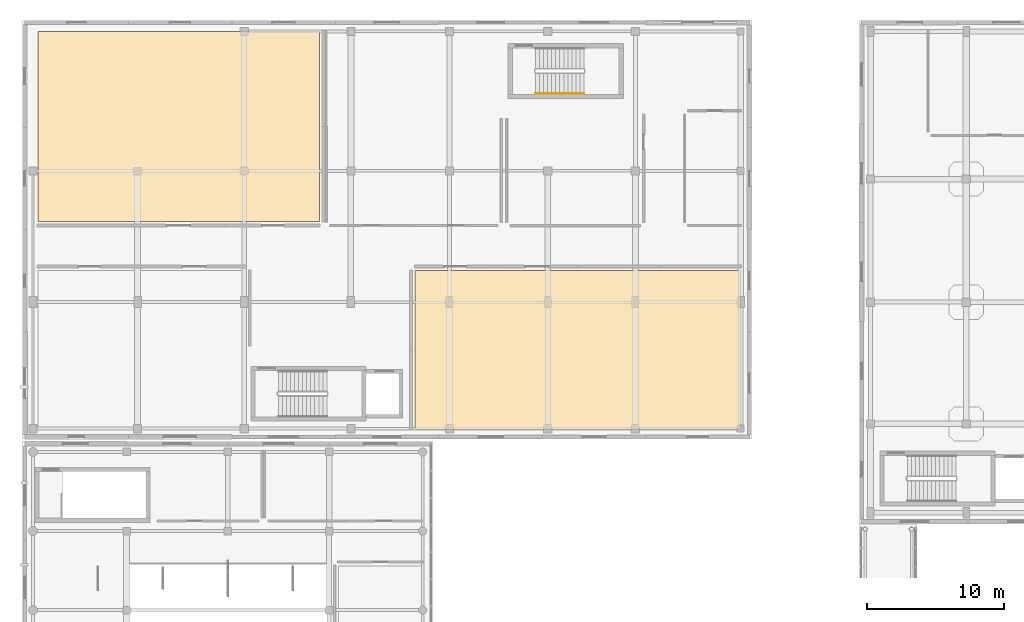
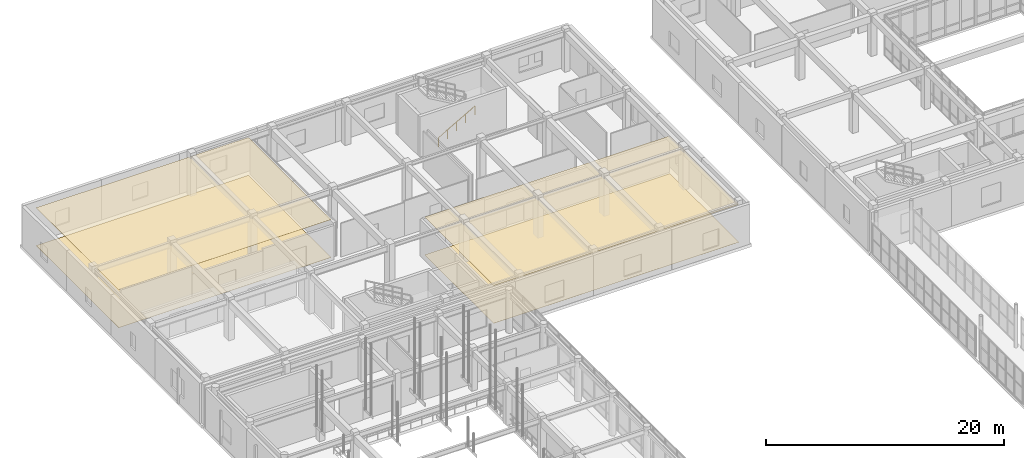
# One storey, part 139 of 142: 4 coverings, 1 railing.
"""IFC4 building model written with IfcOpenShell, lengths in metres."""

from ifc_helpers import new_model, si_unit, direction, frame, origin, origin_2d, place, context, subcontext, project, spatial, polyline, circle, outline, extrude, material, layer, layer_set, type_object, element, save


model = new_model("IFC4")

# Units and contexts
model_context = context("Model", 3, precision=1e-05, world=origin(), true_north=direction((0.0, 1.0)))
body_context = subcontext(model_context, "Body", "Model", "MODEL_VIEW")
ifc_project = project(units=[si_unit("LENGTHUNIT", "METRE"), si_unit("AREAUNIT", "SQUARE_METRE"), si_unit("VOLUMEUNIT", "CUBIC_METRE"), si_unit("PLANEANGLEUNIT", "RADIAN"), si_unit("MASSUNIT", "GRAM", prefix="KILO")], contexts=[model_context])

# Site, building, storey
site_placement = place(None, origin())
site = spatial("IfcSite", under=ifc_project, at=site_placement, CompositionType="ELEMENT")
building_placement = place(site_placement, origin())
building = spatial("IfcBuilding", under=site, at=building_placement, Name="Valcora Specialist Clinic", CompositionType="ELEMENT")
storey_placement = place(building_placement, frame((0.0, 0.0, 5.10009765625)))
storey = spatial("IfcBuildingStorey", under=building, at=storey_placement, Name="L01", CompositionType="ELEMENT", Elevation=5.10009765625)

# Coverings
ifc_material_1 = material(Name="Acoustic Mineral Ceiling Tile")
ifc_layer_1 = layer(ifc_material_1, 0.02001953125)
ifc_layer_set_1 = layer_set([ifc_layer_1], Name="Acoustic Mineral Ceiling Tile")
covering_type_1 = type_object("IfcCoveringType", Name="TY-CV-CLG020", PredefinedType="CEILING", material=ifc_layer_set_1)
covering_1_placement = place(storey_placement, frame((0.0, 0.0, 3.875)))
element("IfcCovering", 1, at=covering_1_placement, inside=storey, type_object=covering_type_1, Name="Acoustic ceiling tile 9", PredefinedType="CEILING", context=body_context, shape_type="SweptSolid", body=[
    extrude(outline(polyline([(52.5, 92.5), (52.5, 80.89990234375), (28.699951171875, 80.89990234375), (28.699951171875, 92.5), (52.5, 92.5)])), origin(), (0.0, 0.0, 1.0), 0.02001953125),
])
covering_2_placement = place(storey_placement, frame((0.0, 0.0, 3.875)))
element("IfcCovering", 2, at=covering_2_placement, inside=storey, type_object=covering_type_1, Name="Acoustic ceiling tile 10", PredefinedType="CEILING", context=body_context, shape_type="SweptSolid", body=[
    extrude(outline(polyline([(21.699951171875, 110.0), (21.699951171875, 96.10009765625), (1.10009765625, 96.10009765625), (1.10009765625, 110.0), (21.699951171875, 110.0)])), origin(), (0.0, 0.0, 1.0), 0.02001953125),
])
ifc_material_2 = material(Name="Antimicrobial Vinyl Clinical Flooring")
ifc_layer_2 = layer(ifc_material_2, 0.008056640625)
ifc_layer_set_2 = layer_set([ifc_layer_2], Name="Antimicrobial Vinyl Clinical Flooring")
covering_type_2 = type_object("IfcCoveringType", Name="TY-CV-FLR008", PredefinedType="FLOORING", material=ifc_layer_set_2)
covering_3_placement = place(storey_placement, origin())
element("IfcCovering", 3, at=covering_3_placement, inside=storey, type_object=covering_type_2, Name="Antimicrobial clinical flooring 9", PredefinedType="FLOORING", context=body_context, shape_type="SweptSolid", body=[
    extrude(outline(polyline([(52.5, 92.5), (52.5, 80.89990234375), (28.699951171875, 80.89990234375), (28.699951171875, 92.5), (52.5, 92.5)])), origin(), (0.0, 0.0, 1.0), 0.0078125),
])
covering_4_placement = place(storey_placement, origin())
element("IfcCovering", 4, at=covering_4_placement, inside=storey, type_object=covering_type_2, Name="Antimicrobial clinical flooring 10", PredefinedType="FLOORING", context=body_context, shape_type="SweptSolid", body=[
    extrude(outline(polyline([(21.699951171875, 110.0), (21.699951171875, 96.10009765625), (1.10009765625, 96.10009765625), (1.10009765625, 110.0), (21.699951171875, 110.0)])), origin(), (0.0, 0.0, 1.0), 0.0078125),
])

# Railing
ifc_material_3 = material(Name="Stainless Steel AISI 316", Category="steel")
railing_type = type_object("IfcRailingType", Name="TY-RL-HND092", PredefinedType="HANDRAIL", material=ifc_material_3)
railing_placement = place(storey_placement, frame((37.5, 105.449951171875, 0.169921875)))
element("IfcRailing", 5, at=railing_placement, inside=storey, type_object=railing_type, Name="L01 ST-V2B stair handrail 1", PredefinedType="HANDRAIL", context=body_context, shape_type="SweptSolid", body=[
    extrude(circle(Radius=0.02392578125, at=origin_2d()), frame((0.0, 0.0, 0.89599609375), z_axis=(0.866428212428, 0.0, 0.499301665038), x_axis=(0.0, 1.0, 0.0)), (0.0, 0.0, 1.0), 4.085693359375),
    extrude(circle(Radius=0.02099609375, at=origin_2d()), origin(), (0.0, 0.0, 1.0), 0.871826171875),
    extrude(circle(Radius=0.02099609375, at=origin_2d()), frame((0.885009765625, 0.0, 0.510009765625)), (0.0, 0.0, 1.0), 0.871826171875),
    extrude(circle(Radius=0.02099609375, at=origin_2d()), frame((1.77001953125, 0.0, 1.02001953125)), (0.0, 0.0, 1.0), 0.871826171875),
    extrude(circle(Radius=0.02099609375, at=origin_2d()), frame((2.655029296875, 0.0, 1.530029296875)), (0.0, 0.0, 1.0), 0.871826171875),
    extrude(circle(Radius=0.02099609375, at=origin_2d()), frame((3.5400390625, 0.0, 2.0400390625)), (0.0, 0.0, 1.0), 0.871826171875),
])

save(model, "model.ifc")
